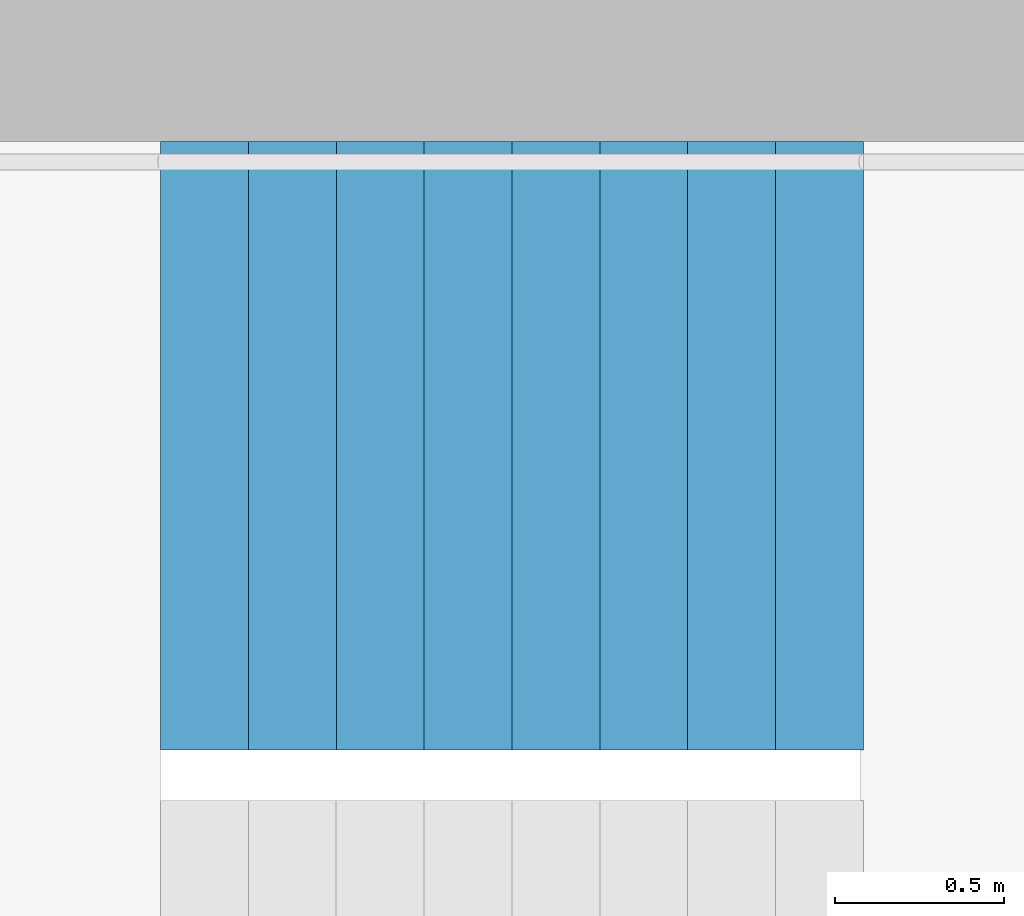
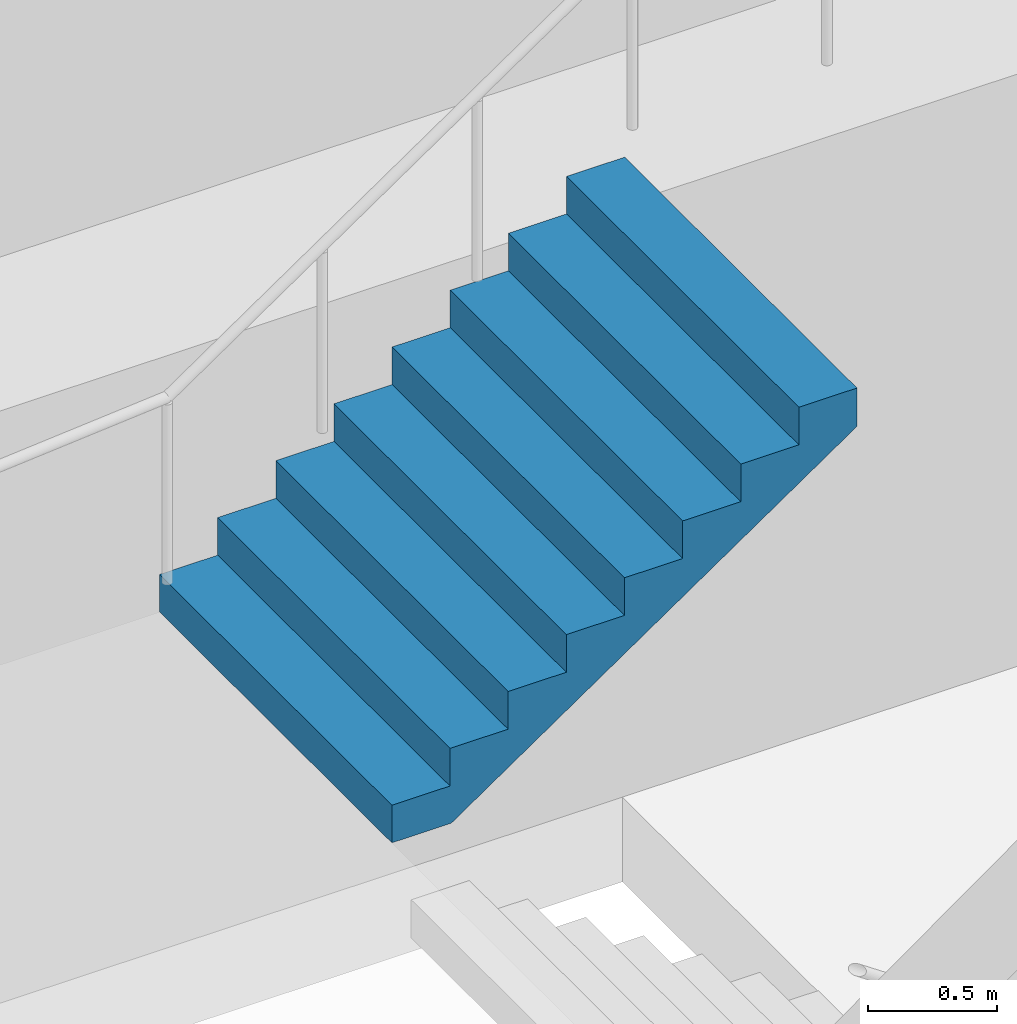
# One storey, part 27 of 28: 1 stair flight, 1 element without a shape of its own.
"""IFC4 building model written with IfcOpenShell, lengths in metres."""

from ifc_helpers import new_model, si_unit, direction, frame, origin, place, context, subcontext, project, spatial, triangles, material, type_object, element, aggregate, save


model = new_model("IFC4")

# Units and contexts
model_context = context("Model", 3, precision=1e-05, world=origin(), true_north=direction((0.0, 1.0)))
body_context = subcontext(model_context, "Body", "Model", "MODEL_VIEW")
ifc_project = project(units=[si_unit("LENGTHUNIT", "METRE"), si_unit("AREAUNIT", "SQUARE_METRE"), si_unit("VOLUMEUNIT", "CUBIC_METRE"), si_unit("PLANEANGLEUNIT", "RADIAN"), si_unit("MASSUNIT", "GRAM", prefix="KILO")], contexts=[model_context])

# Site, building, storey
site_placement = place(None, origin())
site = spatial("IfcSite", under=ifc_project, at=site_placement, CompositionType="ELEMENT")
building_placement = place(site_placement, origin())
building = spatial("IfcBuilding", under=site, at=building_placement, Name="Hakoniwa Tower and Hamabe Station Hall", CompositionType="ELEMENT")
storey_placement = place(building_placement, frame((0.0, 0.0, 48.60009765625)))
storey = spatial("IfcBuildingStorey", under=building, at=storey_placement, Name="L13", CompositionType="ELEMENT", Elevation=48.60009765625)

# Stair, stair flight
ifc_material_1 = material(Name="Concrete C40", Category="concrete")
stair_type = type_object("IfcStairType", Name="ESCAPE STAIR 1800", PredefinedType="HALF_TURN_STAIR", material=ifc_material_1)
stair_placement = place(storey_placement, origin())
stair = element("IfcStair", 1, at=stair_placement, inside=storey, type_object=stair_type, Name="Escape stair ST-3 L13", PredefinedType="HALF_TURN_STAIR")
ifc_material_2 = material(Name="Concrete C40", Category="concrete")
stair_flight_type = type_object("IfcStairFlightType", Name="STAIR FLIGHT 1800", PredefinedType="STRAIGHT", material=ifc_material_2)
stair_flight_placement = place(storey_placement, frame((22.320068359375, 6.60009765625, 1.599853515625), z_axis=(0.0, 0.0, 1.0), x_axis=(1.0, 0.0, 0.0)))
stair_flight = element("IfcStairFlight", 2, at=stair_flight_placement, type_object=stair_flight_type, Name="ST-3 flight 2", NumberOfRisers=9, NumberOfTreads=8, PredefinedType="STRAIGHT", RiserHeight=0.177777778, TreadLength=0.26, context=body_context, shape_type="Tessellation", body=[
    triangles([(0.0, 0.89990234375, 0.0), (0.260009765625, 0.89990234375, 0.0), (0.265625, 0.89990234375, 0.0), (0.52001953125, 0.89990234375, 0.174072265625), (0.780029296875, 0.89990234375, 0.351806640625), (1.0400390625, 0.89990234375, 0.529541015625), (1.300048828125, 0.89990234375, 0.707275390625), (1.56005859375, 0.89990234375, 0.885009765625), (1.820068359375, 0.89990234375, 1.062744140625), (2.080078125, 0.89990234375, 1.24072265625), (2.080078125, 0.89990234375, 1.422119140625), (1.820068359375, 0.89990234375, 1.422119140625), (1.820068359375, 0.89990234375, 1.244384765625), (1.56005859375, 0.89990234375, 1.244384765625), (1.56005859375, 0.89990234375, 1.066650390625), (1.300048828125, 0.89990234375, 1.066650390625), (1.300048828125, 0.89990234375, 0.888916015625), (1.0400390625, 0.89990234375, 0.888916015625), (1.0400390625, 0.89990234375, 0.711181640625), (0.780029296875, 0.89990234375, 0.711181640625), (0.780029296875, 0.89990234375, 0.533447265625), (0.52001953125, 0.89990234375, 0.533447265625), (0.52001953125, 0.89990234375, 0.35546875), (0.265625, 0.89990234375, 0.35546875), (0.260009765625, 0.89990234375, 0.35546875), (0.260009765625, 0.89990234375, 0.177734375), (0.0, 0.89990234375, 0.177734375), (0.0, 0.06005859375, 0.0), (0.260009765625, 0.06005859375, 0.0), (0.265625, 0.06005859375, 0.0), (0.52001953125, 0.06005859375, 0.174072265625), (0.780029296875, 0.06005859375, 0.351806640625), (1.0400390625, 0.06005859375, 0.529541015625), (1.300048828125, 0.06005859375, 0.707275390625), (1.56005859375, 0.06005859375, 0.885009765625), (1.820068359375, 0.06005859375, 1.062744140625), (2.080078125, 0.06005859375, 1.24072265625), (2.080078125, 0.06005859375, 1.422119140625), (1.820068359375, 0.06005859375, 1.422119140625), (1.820068359375, 0.06005859375, 1.244384765625), (1.56005859375, 0.06005859375, 1.244384765625), (1.56005859375, 0.06005859375, 1.066650390625), (1.300048828125, 0.06005859375, 1.066650390625), (1.300048828125, 0.06005859375, 0.888916015625), (1.0400390625, 0.06005859375, 0.888916015625), (1.0400390625, 0.06005859375, 0.711181640625), (0.780029296875, 0.06005859375, 0.711181640625), (0.780029296875, 0.06005859375, 0.533447265625), (0.52001953125, 0.06005859375, 0.533447265625), (0.52001953125, 0.06005859375, 0.35546875), (0.265625, 0.06005859375, 0.35546875), (0.260009765625, 0.06005859375, 0.35546875), (0.260009765625, 0.06005859375, 0.177734375), (0.0, 0.06005859375, 0.177734375), (0.0, 0.04296875, 0.0), (0.260009765625, 0.04296875, 0.0), (0.265625, 0.04296875, 0.0), (0.52001953125, 0.04296875, 0.174072265625), (0.780029296875, 0.04296875, 0.351806640625), (1.0400390625, 0.04296875, 0.529541015625), (1.300048828125, 0.04296875, 0.707275390625), (1.56005859375, 0.04296875, 0.885009765625), (1.820068359375, 0.04296875, 1.062744140625), (2.080078125, 0.04296875, 1.24072265625), (2.080078125, 0.04296875, 1.422119140625), (1.820068359375, 0.04296875, 1.422119140625), (1.820068359375, 0.04296875, 1.244384765625), (1.56005859375, 0.04296875, 1.244384765625), (1.56005859375, 0.04296875, 1.066650390625), (1.300048828125, 0.04296875, 1.066650390625), (1.300048828125, 0.04296875, 0.888916015625), (1.0400390625, 0.04296875, 0.888916015625), (1.0400390625, 0.04296875, 0.711181640625), (0.780029296875, 0.04296875, 0.711181640625), (0.780029296875, 0.04296875, 0.533447265625), (0.52001953125, 0.04296875, 0.533447265625), (0.52001953125, 0.04296875, 0.35546875), (0.265625, 0.04296875, 0.35546875), (0.260009765625, 0.04296875, 0.35546875), (0.260009765625, 0.04296875, 0.177734375), (0.0, 0.04296875, 0.177734375), (0.0, 0.025634765625, 0.0), (0.260009765625, 0.025634765625, 0.0), (0.265625, 0.025634765625, 0.0), (0.52001953125, 0.025634765625, 0.174072265625), (0.780029296875, 0.025634765625, 0.351806640625), (1.0400390625, 0.025634765625, 0.529541015625), (1.300048828125, 0.025634765625, 0.707275390625), (1.56005859375, 0.025634765625, 0.885009765625), (1.820068359375, 0.025634765625, 1.062744140625), (2.080078125, 0.025634765625, 1.24072265625), (2.080078125, 0.025634765625, 1.422119140625), (1.820068359375, 0.025634765625, 1.422119140625), (1.820068359375, 0.025634765625, 1.244384765625), (1.56005859375, 0.025634765625, 1.244384765625), (1.56005859375, 0.025634765625, 1.066650390625), (1.300048828125, 0.025634765625, 1.066650390625), (1.300048828125, 0.025634765625, 0.888916015625), (1.0400390625, 0.025634765625, 0.888916015625), (1.0400390625, 0.025634765625, 0.711181640625), (0.780029296875, 0.025634765625, 0.711181640625), (0.780029296875, 0.025634765625, 0.533447265625), (0.52001953125, 0.025634765625, 0.533447265625), (0.52001953125, 0.025634765625, 0.35546875), (0.265625, 0.025634765625, 0.35546875), (0.260009765625, 0.025634765625, 0.35546875), (0.260009765625, 0.025634765625, 0.177734375), (0.0, 0.025634765625, 0.177734375), (0.0, 0.008544921875, 0.0), (0.260009765625, 0.008544921875, 0.0), (0.265625, 0.008544921875, 0.0), (0.52001953125, 0.008544921875, 0.174072265625), (0.780029296875, 0.008544921875, 0.351806640625), (1.0400390625, 0.008544921875, 0.529541015625), (1.300048828125, 0.008544921875, 0.707275390625), (1.56005859375, 0.008544921875, 0.885009765625), (1.820068359375, 0.008544921875, 1.062744140625), (2.080078125, 0.008544921875, 1.24072265625), (2.080078125, 0.008544921875, 1.422119140625), (1.820068359375, 0.008544921875, 1.422119140625), (1.820068359375, 0.008544921875, 1.244384765625), (1.56005859375, 0.008544921875, 1.244384765625), (1.56005859375, 0.008544921875, 1.066650390625), (1.300048828125, 0.008544921875, 1.066650390625), (1.300048828125, 0.008544921875, 0.888916015625), (1.0400390625, 0.008544921875, 0.888916015625), (1.0400390625, 0.008544921875, 0.711181640625), (0.780029296875, 0.008544921875, 0.711181640625), (0.780029296875, 0.008544921875, 0.533447265625), (0.52001953125, 0.008544921875, 0.533447265625), (0.52001953125, 0.008544921875, 0.35546875), (0.265625, 0.008544921875, 0.35546875), (0.260009765625, 0.008544921875, 0.35546875), (0.260009765625, 0.008544921875, 0.177734375), (0.0, 0.008544921875, 0.177734375), (0.0, -0.008544921875, 0.0), (0.260009765625, -0.008544921875, 0.0), (0.265625, -0.008544921875, 0.0), (0.52001953125, -0.008544921875, 0.174072265625), (0.780029296875, -0.008544921875, 0.351806640625), (1.0400390625, -0.008544921875, 0.529541015625), (1.300048828125, -0.008544921875, 0.707275390625), (1.56005859375, -0.008544921875, 0.885009765625), (1.820068359375, -0.008544921875, 1.062744140625), (2.080078125, -0.008544921875, 1.24072265625), (2.080078125, -0.008544921875, 1.422119140625), (1.820068359375, -0.008544921875, 1.422119140625), (1.820068359375, -0.008544921875, 1.244384765625), (1.56005859375, -0.008544921875, 1.244384765625), (1.56005859375, -0.008544921875, 1.066650390625), (1.300048828125, -0.008544921875, 1.066650390625), (1.300048828125, -0.008544921875, 0.888916015625), (1.0400390625, -0.008544921875, 0.888916015625), (1.0400390625, -0.008544921875, 0.711181640625), (0.780029296875, -0.008544921875, 0.711181640625), (0.780029296875, -0.008544921875, 0.533447265625), (0.52001953125, -0.008544921875, 0.533447265625), (0.52001953125, -0.008544921875, 0.35546875), (0.265625, -0.008544921875, 0.35546875), (0.260009765625, -0.008544921875, 0.35546875), (0.260009765625, -0.008544921875, 0.177734375), (0.0, -0.008544921875, 0.177734375), (0.0, -0.025634765625, 0.0), (0.260009765625, -0.025634765625, 0.0), (0.265625, -0.025634765625, 0.0), (0.52001953125, -0.025634765625, 0.174072265625), (0.780029296875, -0.025634765625, 0.351806640625), (1.0400390625, -0.025634765625, 0.529541015625), (1.300048828125, -0.025634765625, 0.707275390625), (1.56005859375, -0.025634765625, 0.885009765625), (1.820068359375, -0.025634765625, 1.062744140625), (2.080078125, -0.025634765625, 1.24072265625), (2.080078125, -0.025634765625, 1.422119140625), (1.820068359375, -0.025634765625, 1.422119140625), (1.820068359375, -0.025634765625, 1.244384765625), (1.56005859375, -0.025634765625, 1.244384765625), (1.56005859375, -0.025634765625, 1.066650390625), (1.300048828125, -0.025634765625, 1.066650390625), (1.300048828125, -0.025634765625, 0.888916015625), (1.0400390625, -0.025634765625, 0.888916015625), (1.0400390625, -0.025634765625, 0.711181640625), (0.780029296875, -0.025634765625, 0.711181640625), (0.780029296875, -0.025634765625, 0.533447265625), (0.52001953125, -0.025634765625, 0.533447265625), (0.52001953125, -0.025634765625, 0.35546875), (0.265625, -0.025634765625, 0.35546875), (0.260009765625, -0.025634765625, 0.35546875), (0.260009765625, -0.025634765625, 0.177734375), (0.0, -0.025634765625, 0.177734375), (0.0, -0.04296875, 0.0), (0.260009765625, -0.04296875, 0.0), (0.265625, -0.04296875, 0.0), (0.52001953125, -0.04296875, 0.174072265625), (0.780029296875, -0.04296875, 0.351806640625), (1.0400390625, -0.04296875, 0.529541015625), (1.300048828125, -0.04296875, 0.707275390625), (1.56005859375, -0.04296875, 0.885009765625), (1.820068359375, -0.04296875, 1.062744140625), (2.080078125, -0.04296875, 1.24072265625), (2.080078125, -0.04296875, 1.422119140625), (1.820068359375, -0.04296875, 1.422119140625), (1.820068359375, -0.04296875, 1.244384765625), (1.56005859375, -0.04296875, 1.244384765625), (1.56005859375, -0.04296875, 1.066650390625), (1.300048828125, -0.04296875, 1.066650390625), (1.300048828125, -0.04296875, 0.888916015625), (1.0400390625, -0.04296875, 0.888916015625), (1.0400390625, -0.04296875, 0.711181640625), (0.780029296875, -0.04296875, 0.711181640625), (0.780029296875, -0.04296875, 0.533447265625), (0.52001953125, -0.04296875, 0.533447265625), (0.52001953125, -0.04296875, 0.35546875), (0.265625, -0.04296875, 0.35546875), (0.260009765625, -0.04296875, 0.35546875), (0.260009765625, -0.04296875, 0.177734375), (0.0, -0.04296875, 0.177734375), (0.0, -0.06005859375, 0.0), (0.260009765625, -0.06005859375, 0.0), (0.265625, -0.06005859375, 0.0), (0.52001953125, -0.06005859375, 0.174072265625), (0.780029296875, -0.06005859375, 0.351806640625), (1.0400390625, -0.06005859375, 0.529541015625), (1.300048828125, -0.06005859375, 0.707275390625), (1.56005859375, -0.06005859375, 0.885009765625), (1.820068359375, -0.06005859375, 1.062744140625), (2.080078125, -0.06005859375, 1.24072265625), (2.080078125, -0.06005859375, 1.422119140625), (1.820068359375, -0.06005859375, 1.422119140625), (1.820068359375, -0.06005859375, 1.244384765625), (1.56005859375, -0.06005859375, 1.244384765625), (1.56005859375, -0.06005859375, 1.066650390625), (1.300048828125, -0.06005859375, 1.066650390625), (1.300048828125, -0.06005859375, 0.888916015625), (1.0400390625, -0.06005859375, 0.888916015625), (1.0400390625, -0.06005859375, 0.711181640625), (0.780029296875, -0.06005859375, 0.711181640625), (0.780029296875, -0.06005859375, 0.533447265625), (0.52001953125, -0.06005859375, 0.533447265625), (0.52001953125, -0.06005859375, 0.35546875), (0.265625, -0.06005859375, 0.35546875), (0.260009765625, -0.06005859375, 0.35546875), (0.260009765625, -0.06005859375, 0.177734375), (0.0, -0.06005859375, 0.177734375), (0.0, -0.89990234375, 0.0), (0.260009765625, -0.89990234375, 0.0), (0.265625, -0.89990234375, 0.0), (0.52001953125, -0.89990234375, 0.174072265625), (0.780029296875, -0.89990234375, 0.351806640625), (1.0400390625, -0.89990234375, 0.529541015625), (1.300048828125, -0.89990234375, 0.707275390625), (1.56005859375, -0.89990234375, 0.885009765625), (1.820068359375, -0.89990234375, 1.062744140625), (2.080078125, -0.89990234375, 1.24072265625), (2.080078125, -0.89990234375, 1.422119140625), (1.820068359375, -0.89990234375, 1.422119140625), (1.820068359375, -0.89990234375, 1.244384765625), (1.56005859375, -0.89990234375, 1.244384765625), (1.56005859375, -0.89990234375, 1.066650390625), (1.300048828125, -0.89990234375, 1.066650390625), (1.300048828125, -0.89990234375, 0.888916015625), (1.0400390625, -0.89990234375, 0.888916015625), (1.0400390625, -0.89990234375, 0.711181640625), (0.780029296875, -0.89990234375, 0.711181640625), (0.780029296875, -0.89990234375, 0.533447265625), (0.52001953125, -0.89990234375, 0.533447265625), (0.52001953125, -0.89990234375, 0.35546875), (0.265625, -0.89990234375, 0.35546875), (0.260009765625, -0.89990234375, 0.35546875), (0.260009765625, -0.89990234375, 0.177734375), (0.0, -0.89990234375, 0.177734375)], [[2, 27, 26], [245, 269, 270], [2, 1, 27], [245, 270, 244], [3, 25, 24], [246, 267, 268], [3, 26, 25], [246, 268, 269], [3, 2, 26], [246, 269, 245], [4, 24, 23], [247, 266, 267], [4, 3, 24], [247, 267, 246], [5, 22, 21], [248, 264, 265], [5, 23, 22], [248, 265, 266], [5, 4, 23], [248, 266, 247], [6, 20, 19], [249, 262, 263], [6, 21, 20], [249, 263, 264], [6, 5, 21], [249, 264, 248], [7, 18, 17], [250, 260, 261], [7, 19, 18], [250, 261, 262], [7, 6, 19], [250, 262, 249], [8, 16, 15], [251, 258, 259], [8, 17, 16], [251, 259, 260], [8, 7, 17], [251, 260, 250], [9, 14, 13], [252, 256, 257], [9, 15, 14], [252, 257, 258], [9, 8, 15], [252, 258, 251], [10, 12, 11], [253, 254, 255], [10, 13, 12], [253, 255, 256], [10, 9, 13], [253, 256, 252], [1, 2, 29], [1, 29, 28], [28, 29, 56], [28, 56, 55], [55, 56, 83], [55, 83, 82], [82, 83, 110], [82, 110, 109], [109, 110, 137], [109, 137, 136], [136, 137, 164], [136, 164, 163], [163, 164, 191], [163, 191, 190], [190, 191, 218], [190, 218, 217], [217, 218, 245], [217, 245, 244], [2, 3, 30], [2, 30, 29], [29, 30, 57], [29, 57, 56], [56, 57, 84], [56, 84, 83], [83, 84, 111], [83, 111, 110], [110, 111, 138], [110, 138, 137], [137, 138, 165], [137, 165, 164], [164, 165, 192], [164, 192, 191], [191, 192, 219], [191, 219, 218], [218, 219, 246], [218, 246, 245], [3, 4, 31], [3, 31, 30], [30, 31, 58], [30, 58, 57], [57, 58, 85], [57, 85, 84], [84, 85, 112], [84, 112, 111], [111, 112, 139], [111, 139, 138], [138, 139, 166], [138, 166, 165], [165, 166, 193], [165, 193, 192], [192, 193, 220], [192, 220, 219], [219, 220, 247], [219, 247, 246], [4, 5, 32], [4, 32, 31], [31, 32, 59], [31, 59, 58], [58, 59, 86], [58, 86, 85], [85, 86, 113], [85, 113, 112], [112, 113, 140], [112, 140, 139], [139, 140, 167], [139, 167, 166], [166, 167, 194], [166, 194, 193], [193, 194, 221], [193, 221, 220], [220, 221, 248], [220, 248, 247], [5, 6, 33], [5, 33, 32], [32, 33, 60], [32, 60, 59], [59, 60, 87], [59, 87, 86], [86, 87, 114], [86, 114, 113], [113, 114, 141], [113, 141, 140], [140, 141, 168], [140, 168, 167], [167, 168, 195], [167, 195, 194], [194, 195, 222], [194, 222, 221], [221, 222, 249], [221, 249, 248], [6, 7, 34], [6, 34, 33], [33, 34, 61], [33, 61, 60], [60, 61, 88], [60, 88, 87], [87, 88, 115], [87, 115, 114], [114, 115, 142], [114, 142, 141], [141, 142, 169], [141, 169, 168], [168, 169, 196], [168, 196, 195], [195, 196, 223], [195, 223, 222], [222, 223, 250], [222, 250, 249], [7, 8, 35], [7, 35, 34], [34, 35, 62], [34, 62, 61], [61, 62, 89], [61, 89, 88], [88, 89, 116], [88, 116, 115], [115, 116, 143], [115, 143, 142], [142, 143, 170], [142, 170, 169], [169, 170, 197], [169, 197, 196], [196, 197, 224], [196, 224, 223], [223, 224, 251], [223, 251, 250], [8, 9, 36], [8, 36, 35], [35, 36, 63], [35, 63, 62], [62, 63, 90], [62, 90, 89], [89, 90, 117], [89, 117, 116], [116, 117, 144], [116, 144, 143], [143, 144, 171], [143, 171, 170], [170, 171, 198], [170, 198, 197], [197, 198, 225], [197, 225, 224], [224, 225, 252], [224, 252, 251], [9, 10, 37], [9, 37, 36], [36, 37, 64], [36, 64, 63], [63, 64, 91], [63, 91, 90], [90, 91, 118], [90, 118, 117], [117, 118, 145], [117, 145, 144], [144, 145, 172], [144, 172, 171], [171, 172, 199], [171, 199, 198], [198, 199, 226], [198, 226, 225], [225, 226, 253], [225, 253, 252], [10, 11, 38], [10, 38, 37], [37, 38, 65], [37, 65, 64], [64, 65, 92], [64, 92, 91], [91, 92, 119], [91, 119, 118], [118, 119, 146], [118, 146, 145], [145, 146, 173], [145, 173, 172], [172, 173, 200], [172, 200, 199], [199, 200, 227], [199, 227, 226], [226, 227, 254], [226, 254, 253], [11, 12, 39], [11, 39, 38], [38, 39, 66], [38, 66, 65], [65, 66, 93], [65, 93, 92], [92, 93, 120], [92, 120, 119], [119, 120, 147], [119, 147, 146], [146, 147, 174], [146, 174, 173], [173, 174, 201], [173, 201, 200], [200, 201, 228], [200, 228, 227], [227, 228, 255], [227, 255, 254], [12, 13, 40], [12, 40, 39], [39, 40, 67], [39, 67, 66], [66, 67, 94], [66, 94, 93], [93, 94, 121], [93, 121, 120], [120, 121, 148], [120, 148, 147], [147, 148, 175], [147, 175, 174], [174, 175, 202], [174, 202, 201], [201, 202, 229], [201, 229, 228], [228, 229, 256], [228, 256, 255], [13, 14, 41], [13, 41, 40], [40, 41, 68], [40, 68, 67], [67, 68, 95], [67, 95, 94], [94, 95, 122], [94, 122, 121], [121, 122, 149], [121, 149, 148], [148, 149, 176], [148, 176, 175], [175, 176, 203], [175, 203, 202], [202, 203, 230], [202, 230, 229], [229, 230, 257], [229, 257, 256], [14, 15, 42], [14, 42, 41], [41, 42, 69], [41, 69, 68], [68, 69, 96], [68, 96, 95], [95, 96, 123], [95, 123, 122], [122, 123, 150], [122, 150, 149], [149, 150, 177], [149, 177, 176], [176, 177, 204], [176, 204, 203], [203, 204, 231], [203, 231, 230], [230, 231, 258], [230, 258, 257], [15, 16, 43], [15, 43, 42], [42, 43, 70], [42, 70, 69], [69, 70, 97], [69, 97, 96], [96, 97, 124], [96, 124, 123], [123, 124, 151], [123, 151, 150], [150, 151, 178], [150, 178, 177], [177, 178, 205], [177, 205, 204], [204, 205, 232], [204, 232, 231], [231, 232, 259], [231, 259, 258], [16, 17, 44], [16, 44, 43], [43, 44, 71], [43, 71, 70], [70, 71, 98], [70, 98, 97], [97, 98, 125], [97, 125, 124], [124, 125, 152], [124, 152, 151], [151, 152, 179], [151, 179, 178], [178, 179, 206], [178, 206, 205], [205, 206, 233], [205, 233, 232], [232, 233, 260], [232, 260, 259], [17, 18, 45], [17, 45, 44], [44, 45, 72], [44, 72, 71], [71, 72, 99], [71, 99, 98], [98, 99, 126], [98, 126, 125], [125, 126, 153], [125, 153, 152], [152, 153, 180], [152, 180, 179], [179, 180, 207], [179, 207, 206], [206, 207, 234], [206, 234, 233], [233, 234, 261], [233, 261, 260], [18, 19, 46], [18, 46, 45], [45, 46, 73], [45, 73, 72], [72, 73, 100], [72, 100, 99], [99, 100, 127], [99, 127, 126], [126, 127, 154], [126, 154, 153], [153, 154, 181], [153, 181, 180], [180, 181, 208], [180, 208, 207], [207, 208, 235], [207, 235, 234], [234, 235, 262], [234, 262, 261], [19, 20, 47], [19, 47, 46], [46, 47, 74], [46, 74, 73], [73, 74, 101], [73, 101, 100], [100, 101, 128], [100, 128, 127], [127, 128, 155], [127, 155, 154], [154, 155, 182], [154, 182, 181], [181, 182, 209], [181, 209, 208], [208, 209, 236], [208, 236, 235], [235, 236, 263], [235, 263, 262], [20, 21, 48], [20, 48, 47], [47, 48, 75], [47, 75, 74], [74, 75, 102], [74, 102, 101], [101, 102, 129], [101, 129, 128], [128, 129, 156], [128, 156, 155], [155, 156, 183], [155, 183, 182], [182, 183, 210], [182, 210, 209], [209, 210, 237], [209, 237, 236], [236, 237, 264], [236, 264, 263], [21, 22, 49], [21, 49, 48], [48, 49, 76], [48, 76, 75], [75, 76, 103], [75, 103, 102], [102, 103, 130], [102, 130, 129], [129, 130, 157], [129, 157, 156], [156, 157, 184], [156, 184, 183], [183, 184, 211], [183, 211, 210], [210, 211, 238], [210, 238, 237], [237, 238, 265], [237, 265, 264], [22, 23, 50], [22, 50, 49], [49, 50, 77], [49, 77, 76], [76, 77, 104], [76, 104, 103], [103, 104, 131], [103, 131, 130], [130, 131, 158], [130, 158, 157], [157, 158, 185], [157, 185, 184], [184, 185, 212], [184, 212, 211], [211, 212, 239], [211, 239, 238], [238, 239, 266], [238, 266, 265], [23, 24, 51], [23, 51, 50], [50, 51, 78], [50, 78, 77], [77, 78, 105], [77, 105, 104], [104, 105, 132], [104, 132, 131], [131, 132, 159], [131, 159, 158], [158, 159, 186], [158, 186, 185], [185, 186, 213], [185, 213, 212], [212, 213, 240], [212, 240, 239], [239, 240, 267], [239, 267, 266], [24, 25, 52], [24, 52, 51], [51, 52, 79], [51, 79, 78], [78, 79, 106], [78, 106, 105], [105, 106, 133], [105, 133, 132], [132, 133, 160], [132, 160, 159], [159, 160, 187], [159, 187, 186], [186, 187, 214], [186, 214, 213], [213, 214, 241], [213, 241, 240], [240, 241, 268], [240, 268, 267], [25, 26, 53], [25, 53, 52], [52, 53, 80], [52, 80, 79], [79, 80, 107], [79, 107, 106], [106, 107, 134], [106, 134, 133], [133, 134, 161], [133, 161, 160], [160, 161, 188], [160, 188, 187], [187, 188, 215], [187, 215, 214], [214, 215, 242], [214, 242, 241], [241, 242, 269], [241, 269, 268], [26, 27, 54], [26, 54, 53], [53, 54, 81], [53, 81, 80], [80, 81, 108], [80, 108, 107], [107, 108, 135], [107, 135, 134], [134, 135, 162], [134, 162, 161], [161, 162, 189], [161, 189, 188], [188, 189, 216], [188, 216, 215], [215, 216, 243], [215, 243, 242], [242, 243, 270], [242, 270, 269], [27, 1, 28], [27, 28, 54], [54, 28, 55], [54, 55, 81], [81, 55, 82], [81, 82, 108], [108, 82, 109], [108, 109, 135], [135, 109, 136], [135, 136, 162], [162, 136, 163], [162, 163, 189], [189, 163, 190], [189, 190, 216], [216, 190, 217], [216, 217, 243], [243, 217, 244], [243, 244, 270]], closed=True),
])
aggregate(stair, [stair_flight])

save(model, "model.ifc")
